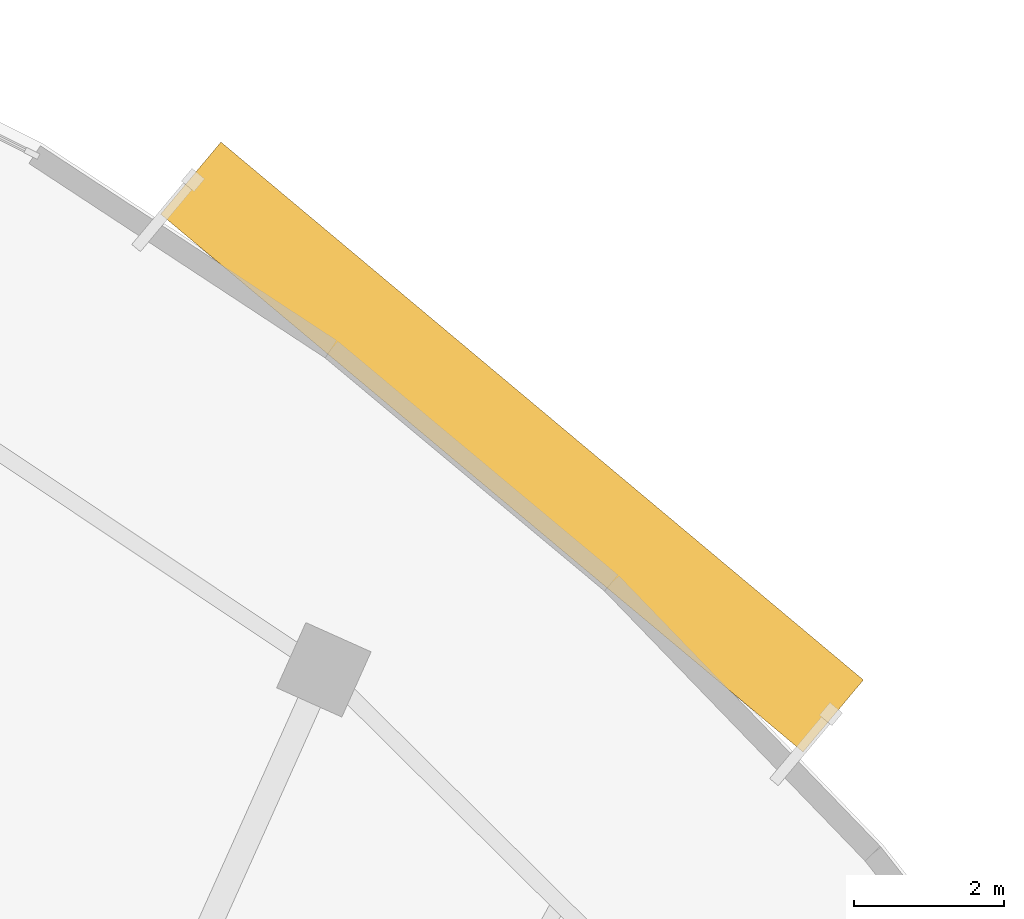
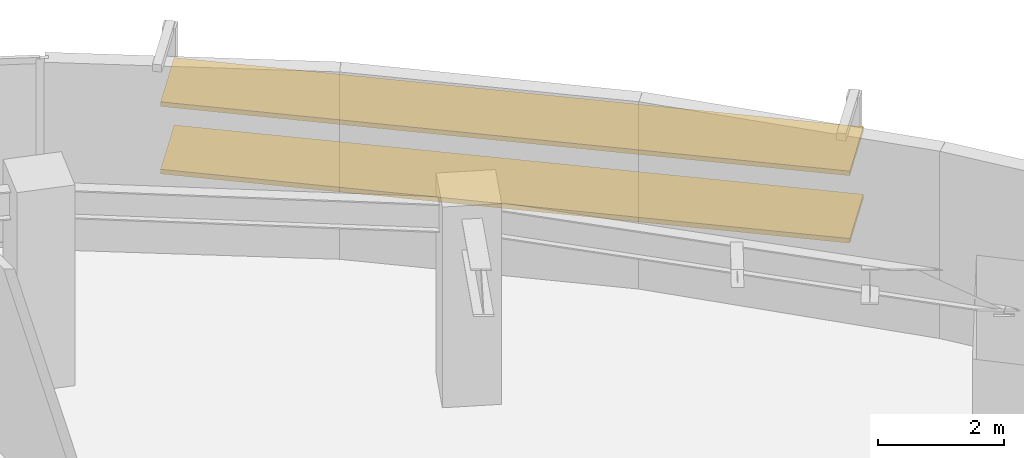
# One storey, part 13 of 13: 2 shading devices.
"""IFC4 building model written with IfcOpenShell, lengths in metres."""

from ifc_helpers import new_model, si_unit, direction, frame, origin, origin_2d, place, context, subcontext, project, spatial, rectangle, extrude, source, transform, mapped, material, material_profile, profile_set, type_object, element, save


model = new_model("IFC4")

# Units and contexts
model_context = context("Model", 3, precision=1e-05, world=origin(), true_north=direction((0.0, 1.0)))
body_context = subcontext(model_context, "Body", "Model", "MODEL_VIEW")
ifc_project = project(units=[si_unit("LENGTHUNIT", "METRE"), si_unit("AREAUNIT", "SQUARE_METRE"), si_unit("VOLUMEUNIT", "CUBIC_METRE"), si_unit("PLANEANGLEUNIT", "RADIAN"), si_unit("MASSUNIT", "GRAM", prefix="KILO")], contexts=[model_context])

# Site, building, storey
site_placement = place(None, origin())
site = spatial("IfcSite", under=ifc_project, at=site_placement, CompositionType="ELEMENT")
building_placement = place(site_placement, origin())
building = spatial("IfcBuilding", under=site, at=building_placement, Name="Breltana Convention Tower", CompositionType="ELEMENT")
storey_placement = place(building_placement, frame((0.0, 0.0, 204.0)))
storey = spatial("IfcBuildingStorey", under=building, at=storey_placement, Name="L49", CompositionType="ELEMENT", Elevation=204.0)

# Shading devices
ifc_material = material(Name="Limestone Warm Buff Honed", Category="masonry")
ifc_material_profile = material_profile(ifc_material, rectangle(XDim=1.25, YDim=0.090087890625, at=origin_2d()), Name="STN-LVR-1250X90")
ifc_profile_set = profile_set([ifc_material_profile], Name="Limestone Warm Buff Honed")
shading_device_type = type_object("IfcShadingDeviceType", Name="SHD-OUTER-SKIN-LIMESTONE-1250", PredefinedType="JALOUSIE", material=ifc_profile_set)
shared_shape = source(origin(), body_context, "Body", "SweptSolid", [
    extrude(rectangle(XDim=1.25, YDim=0.090087890625, at=origin_2d()), origin(), (0.0, 0.0, 1.0), 11.138671875),
])
for number, where, z_axis, x_axis, name in (
    (1, (67.141357421875, 75.169921875, 1.310302734375), (0.76671903432, -0.641982805386, 0.0), (0.641982805386, 0.76671903432, 0.0), "L49 outer skin warm limestone louvre 2.1"),
    (2, (67.141357421875, 75.169921875, 2.620849609375), (0.76671903432, -0.641982805386, 0.0), (0.641982805386, 0.76671903432, 0.0), "L49 outer skin warm limestone louvre 2.2"),
):
    element("IfcShadingDevice", number, at=place(storey_placement, frame(where, z_axis=z_axis, x_axis=x_axis)), inside=storey, type_object=shading_device_type, Name=name, PredefinedType="JALOUSIE", context=body_context, shape_type="MappedRepresentation", body=[
        mapped(shared_shape, transform((0.0, 0.0, 0.0), scale=1.0)),
    ])

save(model, "model.ifc")
